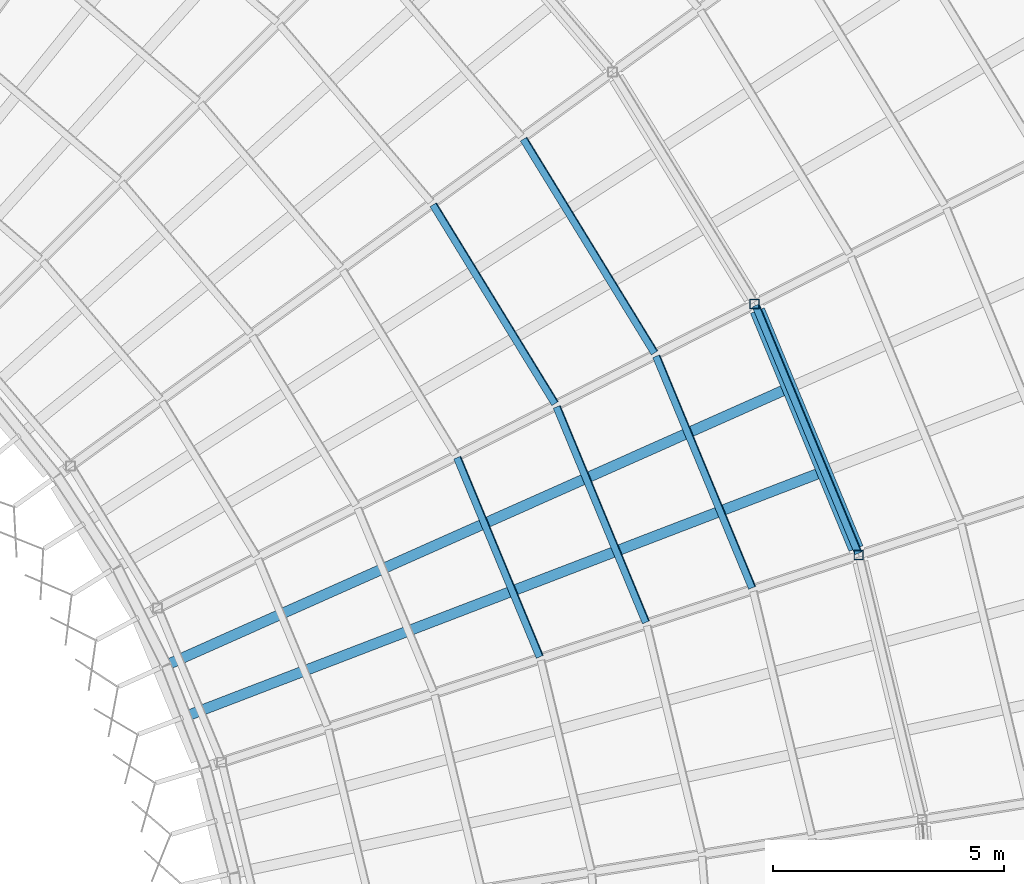
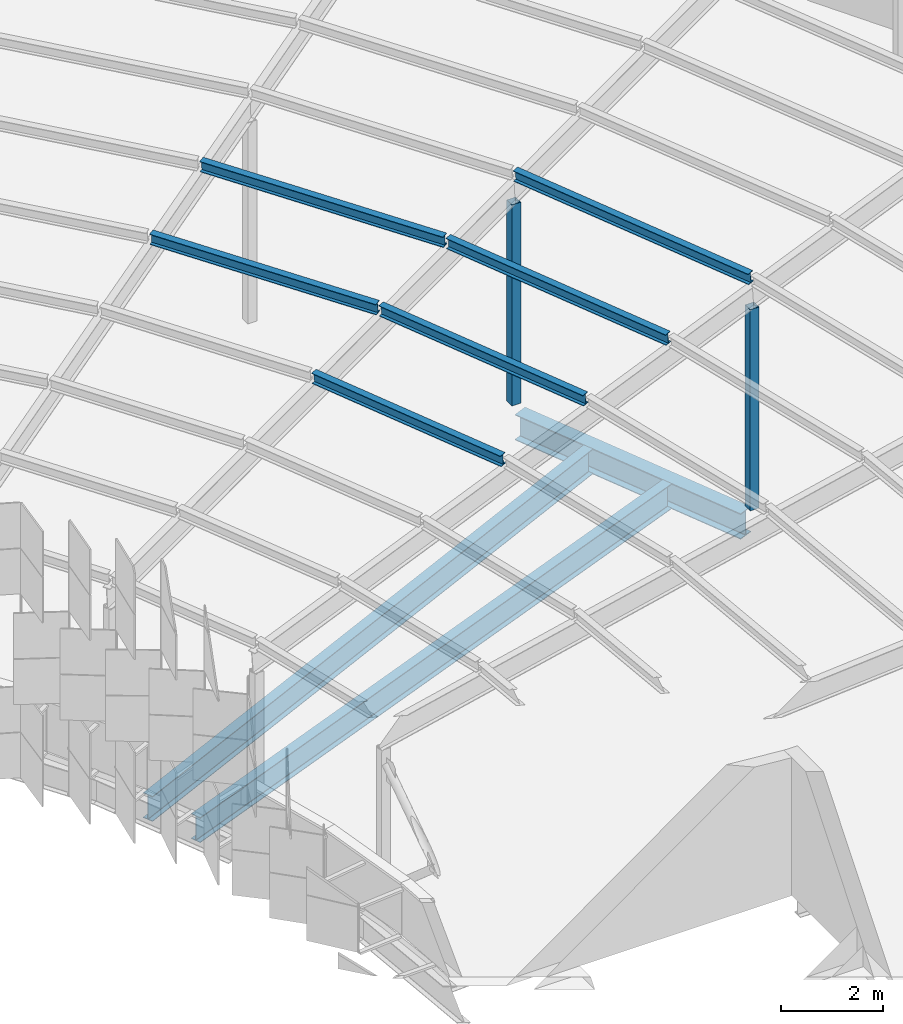
# One storey, part 90 of 483: 8 members, 3 beams.
"""IFC4 building model written with IfcOpenShell, lengths in metres."""

from ifc_helpers import new_model, si_unit, direction, frame, origin, origin_2d, place, context, subcontext, project, spatial, hollow_rectangle, i_section, extrude, material, material_profile, profile_set, type_object, element, save


model = new_model("IFC4")

# Units and contexts
model_context = context("Model", 3, precision=1e-05, world=origin(), true_north=direction((0.0, 1.0)))
body_context = subcontext(model_context, "Body", "Model", "MODEL_VIEW")
ifc_project = project(units=[si_unit("LENGTHUNIT", "METRE"), si_unit("AREAUNIT", "SQUARE_METRE"), si_unit("VOLUMEUNIT", "CUBIC_METRE"), si_unit("PLANEANGLEUNIT", "RADIAN"), si_unit("MASSUNIT", "GRAM", prefix="KILO")], contexts=[model_context])

# Site, building, storey
site_placement = place(None, origin())
site = spatial("IfcSite", under=ifc_project, at=site_placement, CompositionType="ELEMENT")
building_placement = place(site_placement, origin())
building = spatial("IfcBuilding", under=site, at=building_placement, Name="Parallax Yard Mobility Hub", CompositionType="ELEMENT")
storey_placement = place(building_placement, frame((0.0, 0.0, 13.199951171875)))
storey = spatial("IfcBuildingStorey", under=building, at=storey_placement, Name="L04", CompositionType="ELEMENT", Elevation=13.199951171875)

# Members
ifc_material_1 = material(Name="Steel ASTM A500 Gr C", Category="steel")
ifc_material_profile_1 = material_profile(ifc_material_1, hollow_rectangle(XDim=0.203125, YDim=0.203125, WallThickness=0.009521484375, at=origin_2d()), Name="HSS203x203x9.5")
ifc_profile_set_1 = profile_set([ifc_material_profile_1], Name="Steel ASTM A500 Gr C")
member_type_1 = type_object("IfcMemberType", Name="Canopy post HSS203x203x9.5", PredefinedType="POST", material=ifc_profile_set_1)
for number, where, z_axis, x_axis, name in (
    (1, (205.91259765625, 107.024658203125, 0.0), (0.0, 0.0, 1.0), (1.0, 0.0, 0.0), "Canopy post RB/R7"),
    (2, (208.16455078125, 101.588134765625, 0.0), (0.0, 0.0, 1.0), (1.0, 0.0, 0.0), "Canopy post RB/R8"),
):
    element("IfcMember", number, at=place(storey_placement, frame(where, z_axis=z_axis, x_axis=x_axis)), inside=storey, type_object=member_type_1, Name=name, PredefinedType="POST", context=body_context, shape_type="SweptSolid", body=[
        extrude(hollow_rectangle(XDim=0.203125, YDim=0.203125, WallThickness=0.009521484375, at=origin_2d()), origin(), (0.0, 0.0, 1.0), 4.81005859375),
    ])
ifc_material_2 = material(Name="Steel ASTM A992", Category="steel")
ifc_material_profile_2 = material_profile(ifc_material_2, i_section(OverallWidth=0.14794921875, OverallDepth=0.26611328125, WebThickness=0.007568359375, FlangeThickness=0.012939453125, at=origin_2d()), Name="W250x45")
ifc_profile_set_2 = profile_set([ifc_material_profile_2], Name="Steel ASTM A992")
member_type_2 = type_object("IfcMemberType", Name="Canopy purlin W250x45", PredefinedType="PURLIN", material=ifc_profile_set_2)
member_1_placement = place(storey_placement, frame((198.9580078125, 109.172607421875, 5.075439453125), z_axis=(0.522484906957, -0.852648533689, 0.0), x_axis=(0.849916352274, 0.520810684231, 0.079990157691)))
element("IfcMember", 3, at=member_1_placement, inside=storey, type_object=member_type_2, Name="Canopy purlin sector R6-R7 line 5", PredefinedType="PURLIN", context=body_context, shape_type="SweptSolid", body=[
    extrude(i_section(OverallWidth=0.14794921875, OverallDepth=0.26611328125, WebThickness=0.007568359375, FlangeThickness=0.012939453125, at=origin_2d()), origin(), (0.0, 0.0, 1.0), 5.046142578125),
])
member_2_placement = place(storey_placement, frame((200.9130859375, 110.593017578125, 5.2685546875), z_axis=(0.522507184161, -0.852634882292, 0.0), x_axis=(0.849902744621, 0.520832890051, 0.079990157691)))
element("IfcMember", 4, at=member_2_placement, inside=storey, type_object=member_type_2, Name="Canopy purlin sector R6-R7 line 6", PredefinedType="PURLIN", context=body_context, shape_type="SweptSolid", body=[
    extrude(i_section(OverallWidth=0.14794921875, OverallDepth=0.26611328125, WebThickness=0.007568359375, FlangeThickness=0.012939453125, at=origin_2d()), origin(), (0.0, 0.0, 1.0), 5.42529296875),
])
member_3_placement = place(storey_placement, frame((199.47802734375, 103.7001953125, 4.882080078125), z_axis=(0.382701415215, -0.923872083566, 0.0), x_axis=(0.920911677212, 0.381475107243, 0.079990157691)))
element("IfcMember", 5, at=member_3_placement, inside=storey, type_object=member_type_2, Name="Canopy purlin sector R7-R8 line 4", PredefinedType="PURLIN", context=body_context, shape_type="SweptSolid", body=[
    extrude(i_section(OverallWidth=0.14794921875, OverallDepth=0.26611328125, WebThickness=0.007568359375, FlangeThickness=0.012939453125, at=origin_2d()), origin(), (0.0, 0.0, 1.0), 4.66650390625),
])
member_4_placement = place(storey_placement, frame((201.63134765625, 104.797607421875, 5.075439453125), z_axis=(0.382649478893, -0.923893595769, 0.0), x_axis=(0.920933120483, 0.381423337343, 0.079990157691)))
element("IfcMember", 6, at=member_4_placement, inside=storey, type_object=member_type_2, Name="Canopy purlin sector R7-R8 line 5", PredefinedType="PURLIN", context=body_context, shape_type="SweptSolid", body=[
    extrude(i_section(OverallWidth=0.14794921875, OverallDepth=0.26611328125, WebThickness=0.007568359375, FlangeThickness=0.012939453125, at=origin_2d()), origin(), (0.0, 0.0, 1.0), 5.046142578125),
])
member_5_placement = place(storey_placement, frame((203.78466796875, 105.89453125, 5.2685546875), z_axis=(0.382652532445, -0.923892331072, 0.0), x_axis=(0.920931859838, 0.381426381111, 0.079990157691)))
element("IfcMember", 7, at=member_5_placement, inside=storey, type_object=member_type_2, Name="Canopy purlin sector R7-R8 line 6", PredefinedType="PURLIN", context=body_context, shape_type="SweptSolid", body=[
    extrude(i_section(OverallWidth=0.14794921875, OverallDepth=0.26611328125, WebThickness=0.007568359375, FlangeThickness=0.012939453125, at=origin_2d()), origin(), (0.0, 0.0, 1.0), 5.425048828125),
])
member_6_placement = place(storey_placement, frame((205.937744140625, 106.99169921875, 5.462158203125), z_axis=(0.382712120937, -0.923867648794, 0.0), x_axis=(0.920907256651, 0.38148577866, 0.079990157691)))
element("IfcMember", 8, at=member_6_placement, inside=storey, type_object=member_type_2, Name="Canopy purlin sector R7-R8 line 7", PredefinedType="PURLIN", context=body_context, shape_type="SweptSolid", body=[
    extrude(i_section(OverallWidth=0.14794921875, OverallDepth=0.26611328125, WebThickness=0.007568359375, FlangeThickness=0.012939453125, at=origin_2d()), origin(), (0.0, 0.0, 1.0), 5.804443359375),
])

# Beams
ifc_material_profile_3 = material_profile(ifc_material_2, i_section(OverallWidth=0.22802734375, OverallDepth=0.60205078125, WebThickness=0.010498046875, FlangeThickness=0.014892578125, FilletRadius=0.0126953125, at=origin_2d()), Name="W610x101")
ifc_profile_set_3 = profile_set([ifc_material_profile_3], Name="Steel ASTM A992")
beam_type_1 = type_object("IfcBeamType", Name="W610x101 secondary beam", PredefinedType="JOIST", material=ifc_profile_set_3)
for number, where, z_axis, x_axis, name in (
    (9, (193.10302734375, 99.173095703125, -0.44091796875), (0.913542542964, 0.406743189488, 0.0), (-0.406743189488, 0.913542542964, 0.0), "Secondary beam B3 level L04, radial at 66 degrees of ramped parking decks, span 1"),
    (10, (193.554931640625, 98.082275390625, -0.44091796875), (0.933585403808, 0.358354982937, 0.0), (-0.358354982937, 0.933585403808, 0.0), "Secondary beam B3 level L04, radial at 69 degrees of ramped parking decks, span 1"),
):
    element("IfcBeam", number, at=place(storey_placement, frame(where, z_axis=z_axis, x_axis=x_axis)), inside=storey, type_object=beam_type_1, Name=name, PredefinedType="JOIST", context=body_context, shape_type="SweptSolid", body=[
        extrude(i_section(OverallWidth=0.22802734375, OverallDepth=0.60205078125, WebThickness=0.010498046875, FlangeThickness=0.014892578125, FilletRadius=0.0126953125, at=origin_2d()), origin(), (0.0, 0.0, 1.0), 14.681640625),
    ])
ifc_material_profile_4 = material_profile(ifc_material_2, i_section(OverallWidth=0.324951171875, OverallDepth=0.612060546875, WebThickness=0.0126953125, FlangeThickness=0.01904296875, FilletRadius=0.0126953125, at=origin_2d()), Name="W610x155")
ifc_profile_set_4 = profile_set([ifc_material_profile_4], Name="Steel ASTM A992")
beam_type_2 = type_object("IfcBeamType", Name="W610x155 longitudinal beam", PredefinedType="BEAM", material=ifc_profile_set_4)
beam_placement = place(storey_placement, frame((205.97216796875, 106.881103515625, -0.446044921875), z_axis=(0.382661281433, -0.923888707417, 0.0), x_axis=(0.923888707417, 0.382661281433, 0.0)))
element("IfcBeam", 11, at=beam_placement, inside=storey, type_object=beam_type_2, Name="Longitudinal beam SB8 level L04, ring RB of ramped parking decks, span 8", PredefinedType="BEAM", context=body_context, shape_type="SweptSolid", body=[
    extrude(i_section(OverallWidth=0.324951171875, OverallDepth=0.612060546875, WebThickness=0.0126953125, FlangeThickness=0.01904296875, FilletRadius=0.0126953125, at=origin_2d()), origin(), (0.0, 0.0, 1.0), 5.57373046875),
])

save(model, "model.ifc")
